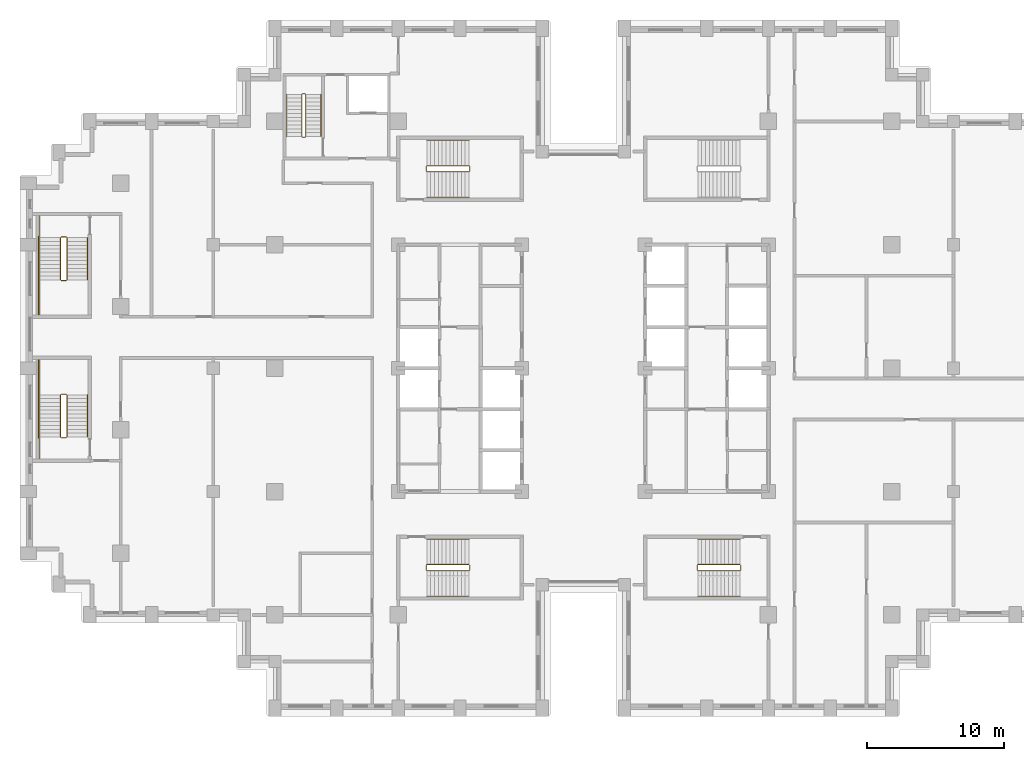
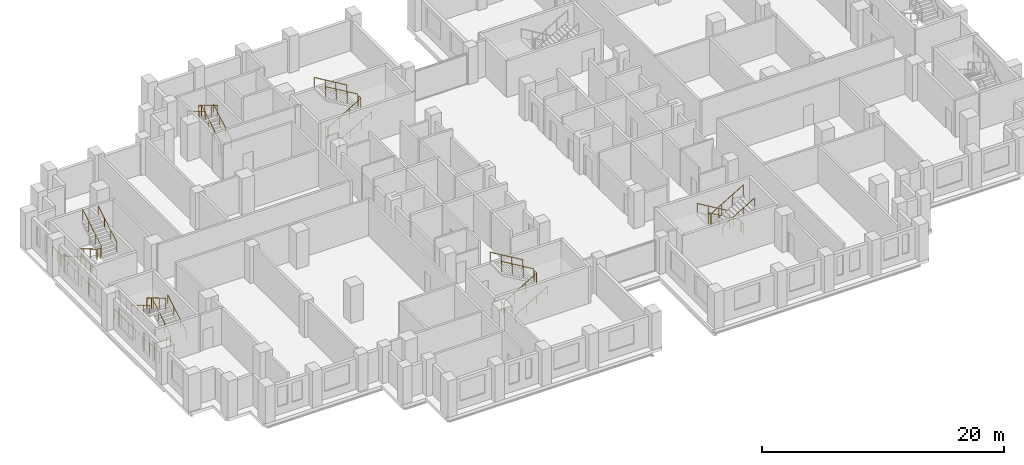
# One storey, part 15 of 16: 6 railings.
"""IFC4 building model written with IfcOpenShell, lengths in metres."""

import ifcopenshell
import ifcopenshell.guid

model = None  # the IFC model being written
_history = None  # IfcOwnerHistory: only IFC2X3 demands one
_inside = {}  # id of a spatial element -> (the spatial element, [elements in it])
_under = {}  # id of a project, library or spatial element -> (it, [spatial elements below it])
_declared = {}  # id of a project -> (the project, [libraries it declares])
_typed = {}  # id of a type object -> (the type object, [elements of that type])
_made_of = {}  # id of a material, layer set ... -> (it, [elements and type objects made of it])


def new_model(schema):
    """Start an empty IFC model of exactly this schema.

    Asked for "IFC4X3", IfcOpenShell would pick the latest addendum, in which some entities
    have other attributes; the version numbers below select the first issue.
    IFC2X3 requires an IfcOwnerHistory on every rooted entity: one is made here for all.
    """
    global model, _history
    if schema == "IFC4X3":
        model = ifcopenshell.file(schema_version=(4, 3, 0, 0))
    else:
        model = ifcopenshell.file(schema=schema)
    _inside.clear()
    _under.clear()
    _declared.clear()
    _typed.clear()
    _made_of.clear()
    _history = None
    if model.schema == "IFC2X3":
        org = make("IfcOrganization", Name="unknown")
        user = make(
            "IfcPersonAndOrganization",
            ThePerson=make("IfcPerson", FamilyName="unknown"),
            TheOrganization=org,
        )
        app = make(
            "IfcApplication",
            ApplicationDeveloper=org,
            Version="unknown",
            ApplicationFullName="unknown",
            ApplicationIdentifier="unknown",
        )
        _history = make(
            "IfcOwnerHistory",
            OwningUser=user,
            OwningApplication=app,
            ChangeAction="ADDED",
            CreationDate=0,
        )
    return model


def make(cls, **values):
    """One entity of the class cls with the attributes given. An attribute that is None is left unset."""
    return model.create_entity(
        cls, **{name: value for name, value in values.items() if value is not None}
    )


def rooted(cls, **values):
    """An entity with a GlobalId (a new one), such as an element, a storey or a relation."""
    return make(cls, GlobalId=ifcopenshell.guid.new(), OwnerHistory=_history, **values)


def si_unit(unit_type, name, prefix=None):
    """IfcSIUnit, for example si_unit("LENGTHUNIT", "METRE", prefix="MILLI")."""
    return make("IfcSIUnit", UnitType=unit_type, Prefix=prefix, Name=name)


def assignment(units):
    """IfcUnitAssignment: the units of a project."""
    return None if units is None else make("IfcUnitAssignment", Units=units)


def point(xyz):
    """IfcCartesianPoint."""
    return None if xyz is None else make("IfcCartesianPoint", Coordinates=xyz)


def direction(xyz):
    """IfcDirection."""
    return None if xyz is None else make("IfcDirection", DirectionRatios=xyz)


def frame(location, z_axis=None, x_axis=None):
    """IfcAxis2Placement3D, a coordinate frame: its origin and axes. An axis left out is left unset."""
    return make(
        "IfcAxis2Placement3D",
        Location=point(location),
        Axis=direction(z_axis),
        RefDirection=direction(x_axis),
    )


def frame_2d(location, x_axis=None):
    """IfcAxis2Placement2D, a coordinate frame in the plane: its origin and x axis."""
    return make(
        "IfcAxis2Placement2D", Location=point(location), RefDirection=direction(x_axis)
    )


def origin():
    """The frame at (0, 0, 0) with its axes left unset."""
    return frame((0.0, 0.0, 0.0))


def origin_2d():
    """The frame at (0, 0) in the plane with its x axis left unset."""
    return frame_2d((0.0, 0.0))


def place(relative_to, where):
    """IfcLocalPlacement: puts the frame where relative to a parent placement (None: the world)."""
    return make(
        "IfcLocalPlacement", PlacementRelTo=relative_to, RelativePlacement=where
    )


def context(
    kind, dimensions, precision=None, world=None, true_north=None, identifier=None
):
    """IfcGeometricRepresentationContext, for example the 3D "Model" context."""
    return make(
        "IfcGeometricRepresentationContext",
        ContextIdentifier=identifier,
        ContextType=kind,
        CoordinateSpaceDimension=dimensions,
        Precision=precision,
        WorldCoordinateSystem=world,
        TrueNorth=true_north,
    )


def subcontext(parent, identifier, kind, view, scale=None):
    """IfcGeometricRepresentationSubContext, for example "Body" below "Model"."""
    return make(
        "IfcGeometricRepresentationSubContext",
        ContextIdentifier=identifier,
        ContextType=kind,
        ParentContext=parent,
        TargetScale=scale,
        TargetView=view,
    )


def project(units=None, contexts=None):
    """IfcProject with its units and contexts."""
    return rooted(
        "IfcProject",
        Name="project",
        RepresentationContexts=contexts,
        UnitsInContext=assignment(units),
    )


def spatial(cls, under=None, at=None, **own):
    """A site, building, storey or space (cls), placed at a placement, below another one or the project."""
    s = rooted(cls, ObjectPlacement=at, **own)
    if under is not None:
        _under.setdefault(under.id(), (under, []))[1].append(s)
    return s


def profile(cls, at=None, kind="AREA", **sizes):
    """A parametric profile (cls). Its sizes go by their IFC names, for example OverallWidth=200.0."""
    return make(cls, ProfileType=kind, Position=at, **sizes)


def circle(**sizes):
    """IfcCircleProfileDef."""
    return profile("IfcCircleProfileDef", **sizes)


def extrude(swept, where, along, depth):
    """IfcExtrudedAreaSolid: the profile swept, set in the frame where, extruded along a direction by depth."""
    return make(
        "IfcExtrudedAreaSolid",
        SweptArea=swept,
        Position=where,
        ExtrudedDirection=direction(along),
        Depth=depth,
    )


def shape(context_of_items, identifier, shape_type, items):
    """IfcShapeRepresentation: the items that make up one representation, for example the "Body"."""
    return make(
        "IfcShapeRepresentation",
        ContextOfItems=context_of_items,
        RepresentationIdentifier=identifier,
        RepresentationType=shape_type,
        Items=items,
    )


def material(Name=None, Category=None):
    """IfcMaterial."""
    return make("IfcMaterial", Name=Name, Category=Category)


def made_of(thing, what):
    """Note that an element or type object is made of a material, layer set ...; save() writes the relation."""
    if what is not None:
        _made_of.setdefault(what.id(), (what, []))[1].append(thing)
    return thing


def type_object(cls, material=None, **own):
    """A type object (cls), such as IfcWallType, which elements share."""
    return made_of(rooted(cls, **own), material)


def element(
    cls,
    number,
    at=None,
    inside=None,
    cuts=None,
    type_object=None,
    material=None,
    context=None,
    identifier="Body",
    shape_type=None,
    held_by="IfcProductDefinitionShape",
    body=None,
    shapes=None,
    **own,
):
    """One element of the class cls, such as IfcWall. Its Tag is "e" and its number.

    at: its placement. inside: the storey or other place that contains it. cuts: it is an
    opening in that element (IfcRelVoidsElement). A single representation is given by context,
    identifier, shape_type and body (its items); several are given by shapes. held_by: the class
    of the entity that holds the representations. save() writes the other relations.
    """
    e = rooted(cls, Tag="e%d" % number, ObjectPlacement=at, **own)
    if body is not None:
        shapes = [shape(context, identifier, shape_type, body)]
    if shapes is not None:
        e.Representation = make(held_by, Representations=shapes)
    if inside is not None:
        _inside.setdefault(inside.id(), (inside, []))[1].append(e)
    if cuts is not None:
        rooted(
            "IfcRelVoidsElement", RelatingBuildingElement=cuts, RelatedOpeningElement=e
        )
    if type_object is not None:
        _typed.setdefault(type_object.id(), (type_object, []))[1].append(e)
    return made_of(e, material)


def aggregate(whole, parts):
    """IfcRelAggregates: a whole, such as a stair, and the parts it consists of."""
    return rooted("IfcRelAggregates", RelatingObject=whole, RelatedObjects=parts)


def save(model, path):
    """Write the relations noted so far, then the file.

    IfcRelAggregates (storeys below a building ...), IfcRelContainedInSpatialStructure (elements
    in a storey), IfcRelDefinesByType, IfcRelAssociatesMaterial and IfcRelDeclares: one each for
    every whole, place, type object, material and project.
    """
    for whole, parts in _under.values():
        aggregate(whole, parts)
    for where, things in _inside.values():
        rooted(
            "IfcRelContainedInSpatialStructure",
            RelatedElements=things,
            RelatingStructure=where,
        )
    for kind, things in _typed.values():
        rooted("IfcRelDefinesByType", RelatedObjects=things, RelatingType=kind)
    for what, things in _made_of.values():
        rooted("IfcRelAssociatesMaterial", RelatedObjects=things, RelatingMaterial=what)
    for by, libraries in _declared.values():
        rooted("IfcRelDeclares", RelatingContext=by, RelatedDefinitions=libraries)
    model.write(path)


model = new_model("IFC4")

# Units and contexts
model_context = context("Model", 3, precision=1e-05, world=origin(), true_north=direction((0.0, 1.0)))
body_context = subcontext(model_context, "Body", "Model", "MODEL_VIEW")
ifc_project = project(units=[si_unit("LENGTHUNIT", "METRE"), si_unit("AREAUNIT", "SQUARE_METRE"), si_unit("VOLUMEUNIT", "CUBIC_METRE"), si_unit("PLANEANGLEUNIT", "RADIAN"), si_unit("MASSUNIT", "GRAM", prefix="KILO")], contexts=[model_context])

# Site, building, storey
site_placement = place(None, origin())
site = spatial("IfcSite", under=ifc_project, at=site_placement, CompositionType="ELEMENT")
building_placement = place(site_placement, origin())
building = spatial("IfcBuilding", under=site, at=building_placement, Name="Corbelhall Arena Tower", CompositionType="ELEMENT")
storey_placement = place(building_placement, frame((0.0, 0.0, 72.0)))
storey = spatial("IfcBuildingStorey", under=building, at=storey_placement, Name="L10", CompositionType="ELEMENT", Elevation=72.0)

# Railings
ifc_material = material(Name="Steel ASTM A500 Gr C", Category="steel")
railing_type = type_object("IfcRailingType", Name="IN-GD-1100", PredefinedType="GUARDRAIL", material=ifc_material)
railing_1_placement = place(storey_placement, frame((-11.425048828125, 14.324951171875, 0.166748046875)))
element("IfcRailing", 1, at=railing_1_placement, inside=storey, type_object=railing_type, Name="L10 ST1 stair guards and handrails", PredefinedType="GUARDRAIL", context=body_context, shape_type="SweptSolid", body=[
    extrude(circle(Radius=0.02392578125, at=origin_2d()), frame((0.0, 0.0, 1.076171875), z_axis=(0.859308565015, 0.0, 0.511457515432), x_axis=(0.0, 1.0, 0.0)), (0.0, 0.0, 1.0), 3.58447265625),
    extrude(circle(Radius=0.02392578125, at=origin_2d()), frame((3.130126953125, 0.050048828125, 2.9091796875), z_axis=(0.0, 1.0, 0.0), x_axis=(-1.0, 0.0, 0.0)), (0.0, 0.0, 1.0), 0.35009765625),
    extrude(circle(Radius=0.02392578125, at=origin_2d()), frame((3.080078125, 0.449951171875, 3.076171875), z_axis=(-0.859308565015, 0.0, 0.511457515432), x_axis=(0.0, -1.0, 0.0)), (0.0, 0.0, 1.0), 3.58447265625),
    extrude(circle(Radius=0.02392578125, at=origin_2d()), frame((-0.050048828125, 0.050048828125, 0.9091796875), z_axis=(0.0, 1.0, 0.0), x_axis=(-1.0, 0.0, 0.0)), (0.0, 0.0, 1.0), 0.35009765625),
    extrude(circle(Radius=0.02392578125, at=origin_2d()), frame((0.0, -1.849853515625, 0.8759765625), z_axis=(0.859308565015, 0.0, 0.511457515432), x_axis=(0.0, 1.0, 0.0)), (0.0, 0.0, 1.0), 3.58447265625),
    extrude(circle(Radius=0.02392578125, at=origin_2d()), frame((3.080078125, 2.300048828125, 2.8759765625), z_axis=(-0.859308565015, 0.0, 0.511457515432), x_axis=(0.0, -1.0, 0.0)), (0.0, 0.0, 1.0), 3.58447265625),
    extrude(circle(Radius=0.02099609375, at=origin_2d()), origin(), (0.0, 0.0, 1.0), 1.052001953125),
    extrude(circle(Radius=0.02099609375, at=origin_2d()), frame((1.026611328125, 0.0, 0.611083984375)), (0.0, 0.0, 1.0), 1.052001953125),
    extrude(circle(Radius=0.02099609375, at=origin_2d()), frame((2.053466796875, 0.0, 1.22216796875)), (0.0, 0.0, 1.0), 1.052001953125),
    extrude(circle(Radius=0.02099609375, at=origin_2d()), frame((3.080078125, 0.0, 1.833251953125)), (0.0, 0.0, 1.0), 1.052001953125),
    extrude(circle(Radius=0.02099609375, at=origin_2d()), frame((3.130126953125, 0.050048828125, 1.833251953125)), (0.0, 0.0, 1.0), 1.052001953125),
    extrude(circle(Radius=0.02099609375, at=origin_2d()), frame((3.130126953125, 0.400146484375, 1.833251953125)), (0.0, 0.0, 1.0), 1.052001953125),
    extrude(circle(Radius=0.02099609375, at=origin_2d()), frame((3.080078125, 0.449951171875, 2.0)), (0.0, 0.0, 1.0), 1.052001953125),
    extrude(circle(Radius=0.02099609375, at=origin_2d()), frame((2.053466796875, 0.449951171875, 2.611083984375)), (0.0, 0.0, 1.0), 1.052001953125),
    extrude(circle(Radius=0.02099609375, at=origin_2d()), frame((1.026611328125, 0.449951171875, 3.22216796875)), (0.0, 0.0, 1.0), 1.052001953125),
    extrude(circle(Radius=0.02099609375, at=origin_2d()), frame((0.0, 0.449951171875, 3.833251953125)), (0.0, 0.0, 1.0), 1.052001953125),
    extrude(circle(Radius=0.02099609375, at=origin_2d()), frame((-0.050048828125, 0.050048828125, -0.166748046875)), (0.0, 0.0, 1.0), 1.052001953125),
    extrude(circle(Radius=0.02099609375, at=origin_2d()), frame((-0.050048828125, 0.400146484375, -0.166748046875)), (0.0, 0.0, 1.0), 1.052001953125),
    extrude(circle(Radius=0.02099609375, at=origin_2d()), frame((0.0, -1.849853515625, 0.0)), (0.0, 0.0, 1.0), 0.851806640625),
    extrude(circle(Radius=0.02099609375, at=origin_2d()), frame((1.026611328125, -1.849853515625, 0.611083984375)), (0.0, 0.0, 1.0), 0.851806640625),
    extrude(circle(Radius=0.02099609375, at=origin_2d()), frame((2.053466796875, -1.849853515625, 1.22216796875)), (0.0, 0.0, 1.0), 0.851806640625),
    extrude(circle(Radius=0.02099609375, at=origin_2d()), frame((3.080078125, -1.849853515625, 1.833251953125)), (0.0, 0.0, 1.0), 0.851806640625),
    extrude(circle(Radius=0.02099609375, at=origin_2d()), frame((3.080078125, 2.300048828125, 2.0)), (0.0, 0.0, 1.0), 0.851806640625),
    extrude(circle(Radius=0.02099609375, at=origin_2d()), frame((2.053466796875, 2.300048828125, 2.611083984375)), (0.0, 0.0, 1.0), 0.851806640625),
    extrude(circle(Radius=0.02099609375, at=origin_2d()), frame((1.026611328125, 2.300048828125, 3.22216796875)), (0.0, 0.0, 1.0), 0.851806640625),
    extrude(circle(Radius=0.02099609375, at=origin_2d()), frame((0.0, 2.300048828125, 3.833251953125)), (0.0, 0.0, 1.0), 0.851806640625),
])
railing_2_placement = place(storey_placement, frame((-11.425048828125, -14.77490234375, 0.166748046875)))
element("IfcRailing", 2, at=railing_2_placement, inside=storey, type_object=railing_type, Name="L10 ST2 stair guards and handrails", PredefinedType="GUARDRAIL", context=body_context, shape_type="SweptSolid", body=[
    extrude(circle(Radius=0.02392578125, at=origin_2d()), frame((0.0, 0.0, 1.076171875), z_axis=(0.859308565015, 0.0, 0.511457515432), x_axis=(0.0, 1.0, 0.0)), (0.0, 0.0, 1.0), 3.58447265625),
    extrude(circle(Radius=0.02392578125, at=origin_2d()), frame((3.130126953125, 0.0498046875, 2.9091796875), z_axis=(0.0, 1.0, 0.0), x_axis=(-1.0, 0.0, 0.0)), (0.0, 0.0, 1.0), 0.35009765625),
    extrude(circle(Radius=0.02392578125, at=origin_2d()), frame((3.080078125, 0.449951171875, 3.076171875), z_axis=(-0.859308565015, 0.0, 0.511457515432), x_axis=(0.0, -1.0, 0.0)), (0.0, 0.0, 1.0), 3.58447265625),
    extrude(circle(Radius=0.02392578125, at=origin_2d()), frame((-0.050048828125, 0.0498046875, 0.9091796875), z_axis=(0.0, 1.0, 0.0), x_axis=(-1.0, 0.0, 0.0)), (0.0, 0.0, 1.0), 0.35009765625),
    extrude(circle(Radius=0.02392578125, at=origin_2d()), frame((0.0, -1.85009765625, 0.8759765625), z_axis=(0.859308565015, 0.0, 0.511457515432), x_axis=(0.0, 1.0, 0.0)), (0.0, 0.0, 1.0), 3.58447265625),
    extrude(circle(Radius=0.02392578125, at=origin_2d()), frame((3.080078125, 2.2998046875, 2.8759765625), z_axis=(-0.859308565015, 0.0, 0.511457515432), x_axis=(0.0, -1.0, 0.0)), (0.0, 0.0, 1.0), 3.58447265625),
    extrude(circle(Radius=0.02099609375, at=origin_2d()), origin(), (0.0, 0.0, 1.0), 1.052001953125),
    extrude(circle(Radius=0.02099609375, at=origin_2d()), frame((1.026611328125, 0.0, 0.611083984375)), (0.0, 0.0, 1.0), 1.052001953125),
    extrude(circle(Radius=0.02099609375, at=origin_2d()), frame((2.053466796875, 0.0, 1.22216796875)), (0.0, 0.0, 1.0), 1.052001953125),
    extrude(circle(Radius=0.02099609375, at=origin_2d()), frame((3.080078125, 0.0, 1.833251953125)), (0.0, 0.0, 1.0), 1.052001953125),
    extrude(circle(Radius=0.02099609375, at=origin_2d()), frame((3.130126953125, 0.0498046875, 1.833251953125)), (0.0, 0.0, 1.0), 1.052001953125),
    extrude(circle(Radius=0.02099609375, at=origin_2d()), frame((3.130126953125, 0.39990234375, 1.833251953125)), (0.0, 0.0, 1.0), 1.052001953125),
    extrude(circle(Radius=0.02099609375, at=origin_2d()), frame((3.080078125, 0.449951171875, 2.0)), (0.0, 0.0, 1.0), 1.052001953125),
    extrude(circle(Radius=0.02099609375, at=origin_2d()), frame((2.053466796875, 0.449951171875, 2.611083984375)), (0.0, 0.0, 1.0), 1.052001953125),
    extrude(circle(Radius=0.02099609375, at=origin_2d()), frame((1.026611328125, 0.449951171875, 3.22216796875)), (0.0, 0.0, 1.0), 1.052001953125),
    extrude(circle(Radius=0.02099609375, at=origin_2d()), frame((0.0, 0.449951171875, 3.833251953125)), (0.0, 0.0, 1.0), 1.052001953125),
    extrude(circle(Radius=0.02099609375, at=origin_2d()), frame((-0.050048828125, 0.0498046875, -0.166748046875)), (0.0, 0.0, 1.0), 1.052001953125),
    extrude(circle(Radius=0.02099609375, at=origin_2d()), frame((-0.050048828125, 0.39990234375, -0.166748046875)), (0.0, 0.0, 1.0), 1.052001953125),
    extrude(circle(Radius=0.02099609375, at=origin_2d()), frame((0.0, -1.85009765625, 0.0)), (0.0, 0.0, 1.0), 0.851806640625),
    extrude(circle(Radius=0.02099609375, at=origin_2d()), frame((1.026611328125, -1.85009765625, 0.611083984375)), (0.0, 0.0, 1.0), 0.851806640625),
    extrude(circle(Radius=0.02099609375, at=origin_2d()), frame((2.053466796875, -1.85009765625, 1.22216796875)), (0.0, 0.0, 1.0), 0.851806640625),
    extrude(circle(Radius=0.02099609375, at=origin_2d()), frame((3.080078125, -1.85009765625, 1.833251953125)), (0.0, 0.0, 1.0), 0.851806640625),
    extrude(circle(Radius=0.02099609375, at=origin_2d()), frame((3.080078125, 2.2998046875, 2.0)), (0.0, 0.0, 1.0), 0.851806640625),
    extrude(circle(Radius=0.02099609375, at=origin_2d()), frame((2.053466796875, 2.2998046875, 2.611083984375)), (0.0, 0.0, 1.0), 0.851806640625),
    extrude(circle(Radius=0.02099609375, at=origin_2d()), frame((1.026611328125, 2.2998046875, 3.22216796875)), (0.0, 0.0, 1.0), 0.851806640625),
    extrude(circle(Radius=0.02099609375, at=origin_2d()), frame((0.0, 2.2998046875, 3.833251953125)), (0.0, 0.0, 1.0), 0.851806640625),
])
railing_3_placement = place(storey_placement, frame((11.425048828125, -14.324951171875, 0.166748046875)))
element("IfcRailing", 3, at=railing_3_placement, inside=storey, type_object=railing_type, Name="L10 ST4 stair guards and handrails", PredefinedType="GUARDRAIL", context=body_context, shape_type="SweptSolid", body=[
    extrude(circle(Radius=0.02392578125, at=origin_2d()), frame((0.0, 0.0, 1.076171875), z_axis=(-0.859308565015, 0.0, 0.511457515432), x_axis=(0.0, -1.0, 0.0)), (0.0, 0.0, 1.0), 3.58447265625),
    extrude(circle(Radius=0.02392578125, at=origin_2d()), frame((-3.130126953125, -0.050048828125, 2.9091796875), z_axis=(0.0, -1.0, 0.0), x_axis=(1.0, 0.0, 0.0)), (0.0, 0.0, 1.0), 0.35009765625),
    extrude(circle(Radius=0.02392578125, at=origin_2d()), frame((-3.080078125, -0.449951171875, 3.076171875), z_axis=(0.859308565015, 0.0, 0.511457515432), x_axis=(0.0, 1.0, 0.0)), (0.0, 0.0, 1.0), 3.58447265625),
    extrude(circle(Radius=0.02392578125, at=origin_2d()), frame((0.050048828125, -0.050048828125, 0.9091796875), z_axis=(0.0, -1.0, 0.0), x_axis=(1.0, 0.0, 0.0)), (0.0, 0.0, 1.0), 0.35009765625),
    extrude(circle(Radius=0.02392578125, at=origin_2d()), frame((0.0, 1.849853515625, 0.8759765625), z_axis=(-0.859308565015, 0.0, 0.511457515432), x_axis=(0.0, -1.0, 0.0)), (0.0, 0.0, 1.0), 3.58447265625),
    extrude(circle(Radius=0.02392578125, at=origin_2d()), frame((-3.080078125, -2.300048828125, 2.8759765625), z_axis=(0.859308565015, 0.0, 0.511457515432), x_axis=(0.0, 1.0, 0.0)), (0.0, 0.0, 1.0), 3.58447265625),
    extrude(circle(Radius=0.02099609375, at=origin_2d()), origin(), (0.0, 0.0, 1.0), 1.052001953125),
    extrude(circle(Radius=0.02099609375, at=origin_2d()), frame((-1.026611328125, 0.0, 0.611083984375)), (0.0, 0.0, 1.0), 1.052001953125),
    extrude(circle(Radius=0.02099609375, at=origin_2d()), frame((-2.053466796875, 0.0, 1.22216796875)), (0.0, 0.0, 1.0), 1.052001953125),
    extrude(circle(Radius=0.02099609375, at=origin_2d()), frame((-3.080078125, 0.0, 1.833251953125)), (0.0, 0.0, 1.0), 1.052001953125),
    extrude(circle(Radius=0.02099609375, at=origin_2d()), frame((-3.130126953125, -0.050048828125, 1.833251953125)), (0.0, 0.0, 1.0), 1.052001953125),
    extrude(circle(Radius=0.02099609375, at=origin_2d()), frame((-3.130126953125, -0.400146484375, 1.833251953125)), (0.0, 0.0, 1.0), 1.052001953125),
    extrude(circle(Radius=0.02099609375, at=origin_2d()), frame((-3.080078125, -0.449951171875, 2.0)), (0.0, 0.0, 1.0), 1.052001953125),
    extrude(circle(Radius=0.02099609375, at=origin_2d()), frame((-2.053466796875, -0.449951171875, 2.611083984375)), (0.0, 0.0, 1.0), 1.052001953125),
    extrude(circle(Radius=0.02099609375, at=origin_2d()), frame((-1.026611328125, -0.449951171875, 3.22216796875)), (0.0, 0.0, 1.0), 1.052001953125),
    extrude(circle(Radius=0.02099609375, at=origin_2d()), frame((0.0, -0.449951171875, 3.833251953125)), (0.0, 0.0, 1.0), 1.052001953125),
    extrude(circle(Radius=0.02099609375, at=origin_2d()), frame((0.050048828125, -0.050048828125, -0.166748046875)), (0.0, 0.0, 1.0), 1.052001953125),
    extrude(circle(Radius=0.02099609375, at=origin_2d()), frame((0.050048828125, -0.400146484375, -0.166748046875)), (0.0, 0.0, 1.0), 1.052001953125),
    extrude(circle(Radius=0.02099609375, at=origin_2d()), frame((0.0, 1.849853515625, 0.0)), (0.0, 0.0, 1.0), 0.851806640625),
    extrude(circle(Radius=0.02099609375, at=origin_2d()), frame((-1.026611328125, 1.849853515625, 0.611083984375)), (0.0, 0.0, 1.0), 0.851806640625),
    extrude(circle(Radius=0.02099609375, at=origin_2d()), frame((-2.053466796875, 1.849853515625, 1.22216796875)), (0.0, 0.0, 1.0), 0.851806640625),
    extrude(circle(Radius=0.02099609375, at=origin_2d()), frame((-3.080078125, 1.849853515625, 1.833251953125)), (0.0, 0.0, 1.0), 0.851806640625),
    extrude(circle(Radius=0.02099609375, at=origin_2d()), frame((-3.080078125, -2.300048828125, 2.0)), (0.0, 0.0, 1.0), 0.851806640625),
    extrude(circle(Radius=0.02099609375, at=origin_2d()), frame((-2.053466796875, -2.300048828125, 2.611083984375)), (0.0, 0.0, 1.0), 0.851806640625),
    extrude(circle(Radius=0.02099609375, at=origin_2d()), frame((-1.026611328125, -2.300048828125, 3.22216796875)), (0.0, 0.0, 1.0), 0.851806640625),
    extrude(circle(Radius=0.02099609375, at=origin_2d()), frame((0.0, -2.300048828125, 3.833251953125)), (0.0, 0.0, 1.0), 0.851806640625),
])
railing_4_placement = place(storey_placement, frame((-38.14990234375, 9.52490234375, 0.166748046875)))
element("IfcRailing", 4, at=railing_4_placement, inside=storey, type_object=railing_type, Name="L10 SC1 stair guards and handrails", PredefinedType="GUARDRAIL", context=body_context, shape_type="SweptSolid", body=[
    extrude(circle(Radius=0.02392578125, at=origin_2d()), frame((0.0, 0.0, 1.076171875), z_axis=(0.0, -0.859290745958, 0.51148745235), x_axis=(1.0, 0.0, 0.0)), (0.0, 0.0, 1.0), 3.584228515625),
    extrude(circle(Radius=0.02392578125, at=origin_2d()), frame((0.0498046875, -3.1298828125, 2.9091796875), z_axis=(1.0, 0.0, 0.0), x_axis=(0.0, 1.0, 0.0)), (0.0, 0.0, 1.0), 0.375),
    extrude(circle(Radius=0.02392578125, at=origin_2d()), frame((-1.5, -3.079833984375, 2.9091796875), z_axis=(0.0, -1.0, 0.0), x_axis=(1.0, 0.0, 0.0)), (0.0, 0.0, 1.0), 2.570068359375),
    extrude(circle(Radius=0.02392578125, at=origin_2d()), frame((0.474853515625, -3.079833984375, 3.076171875), z_axis=(0.0, 0.859290745958, 0.51148745235), x_axis=(-1.0, 0.0, 0.0)), (0.0, 0.0, 1.0), 3.584228515625),
    extrude(circle(Radius=0.02392578125, at=origin_2d()), frame((0.0498046875, 0.050048828125, 0.9091796875), z_axis=(1.0, 0.0, 0.0), x_axis=(0.0, 1.0, 0.0)), (0.0, 0.0, 1.0), 0.375),
    extrude(circle(Radius=0.02392578125, at=origin_2d()), frame((-1.5, 1.60009765625, 0.9091796875), z_axis=(0.0, -1.0, 0.0), x_axis=(1.0, 0.0, 0.0)), (0.0, 0.0, 1.0), 1.60009765625),
    extrude(circle(Radius=0.02392578125, at=origin_2d()), frame((-1.60009765625, 0.10009765625, 0.9091796875), z_axis=(0.0, -1.0, 0.0), x_axis=(1.0, 0.0, 0.0)), (0.0, 0.0, 1.0), 5.85009765625),
    extrude(circle(Radius=0.02392578125, at=origin_2d()), frame((-1.5, 0.0, 0.8759765625), z_axis=(0.0, -0.859290745958, 0.51148745235), x_axis=(1.0, 0.0, 0.0)), (0.0, 0.0, 1.0), 3.584228515625),
    extrude(circle(Radius=0.02392578125, at=origin_2d()), frame((1.974853515625, -3.079833984375, 2.8759765625), z_axis=(0.0, 0.859290745958, 0.51148745235), x_axis=(-1.0, 0.0, 0.0)), (0.0, 0.0, 1.0), 3.584228515625),
    extrude(circle(Radius=0.02099609375, at=origin_2d()), origin(), (0.0, 0.0, 1.0), 1.052001953125),
    extrude(circle(Radius=0.02099609375, at=origin_2d()), frame((0.0, -1.026611328125, 0.611083984375)), (0.0, 0.0, 1.0), 1.052001953125),
    extrude(circle(Radius=0.02099609375, at=origin_2d()), frame((0.0, -2.05322265625, 1.22216796875)), (0.0, 0.0, 1.0), 1.052001953125),
    extrude(circle(Radius=0.02099609375, at=origin_2d()), frame((0.0, -3.079833984375, 1.833251953125)), (0.0, 0.0, 1.0), 1.052001953125),
    extrude(circle(Radius=0.02099609375, at=origin_2d()), frame((0.0498046875, -3.1298828125, 1.833251953125)), (0.0, 0.0, 1.0), 1.052001953125),
    extrude(circle(Radius=0.02099609375, at=origin_2d()), frame((0.4248046875, -3.1298828125, 1.833251953125)), (0.0, 0.0, 1.0), 1.052001953125),
    extrude(circle(Radius=0.02099609375, at=origin_2d()), frame((-1.5, -3.079833984375, 1.833251953125)), (0.0, 0.0, 1.0), 1.052001953125),
    extrude(circle(Radius=0.02099609375, at=origin_2d()), frame((-1.5, -3.9365234375, 1.833251953125)), (0.0, 0.0, 1.0), 1.052001953125),
    extrude(circle(Radius=0.02099609375, at=origin_2d()), frame((-1.5, -4.793212890625, 1.833251953125)), (0.0, 0.0, 1.0), 1.052001953125),
    extrude(circle(Radius=0.02099609375, at=origin_2d()), frame((-1.5, -5.64990234375, 1.833251953125)), (0.0, 0.0, 1.0), 1.052001953125),
    extrude(circle(Radius=0.02099609375, at=origin_2d()), frame((0.474853515625, -3.079833984375, 2.0)), (0.0, 0.0, 1.0), 1.052001953125),
    extrude(circle(Radius=0.02099609375, at=origin_2d()), frame((0.474853515625, -2.05322265625, 2.611083984375)), (0.0, 0.0, 1.0), 1.052001953125),
    extrude(circle(Radius=0.02099609375, at=origin_2d()), frame((0.474853515625, -1.026611328125, 3.22216796875)), (0.0, 0.0, 1.0), 1.052001953125),
    extrude(circle(Radius=0.02099609375, at=origin_2d()), frame((0.474853515625, 0.0, 3.833251953125)), (0.0, 0.0, 1.0), 1.052001953125),
    extrude(circle(Radius=0.02099609375, at=origin_2d()), frame((0.0498046875, 0.050048828125, -0.166748046875)), (0.0, 0.0, 1.0), 1.052001953125),
    extrude(circle(Radius=0.02099609375, at=origin_2d()), frame((0.4248046875, 0.050048828125, -0.166748046875)), (0.0, 0.0, 1.0), 1.052001953125),
    extrude(circle(Radius=0.02099609375, at=origin_2d()), frame((-1.5, 1.60009765625, -0.166748046875)), (0.0, 0.0, 1.0), 1.052001953125),
    extrude(circle(Radius=0.02099609375, at=origin_2d()), frame((-1.5, 0.800048828125, -0.166748046875)), (0.0, 0.0, 1.0), 1.052001953125),
    extrude(circle(Radius=0.02099609375, at=origin_2d()), frame((-1.5, 0.0, -0.166748046875)), (0.0, 0.0, 1.0), 1.052001953125),
    extrude(circle(Radius=0.02099609375, at=origin_2d()), frame((-1.60009765625, 0.10009765625, -0.166748046875)), (0.0, 0.0, 1.0), 1.052001953125),
    extrude(circle(Radius=0.02099609375, at=origin_2d()), frame((-1.60009765625, -1.06982421875, -0.166748046875)), (0.0, 0.0, 1.0), 1.052001953125),
    extrude(circle(Radius=0.02099609375, at=origin_2d()), frame((-1.60009765625, -2.239990234375, -0.166748046875)), (0.0, 0.0, 1.0), 1.052001953125),
    extrude(circle(Radius=0.02099609375, at=origin_2d()), frame((-1.60009765625, -3.409912109375, -0.166748046875)), (0.0, 0.0, 1.0), 1.052001953125),
    extrude(circle(Radius=0.02099609375, at=origin_2d()), frame((-1.60009765625, -4.580078125, -0.166748046875)), (0.0, 0.0, 1.0), 1.052001953125),
    extrude(circle(Radius=0.02099609375, at=origin_2d()), frame((-1.60009765625, -5.75, -0.166748046875)), (0.0, 0.0, 1.0), 1.052001953125),
    extrude(circle(Radius=0.02099609375, at=origin_2d()), frame((-1.5, 0.0, 0.0)), (0.0, 0.0, 1.0), 0.851806640625),
    extrude(circle(Radius=0.02099609375, at=origin_2d()), frame((-1.5, -1.026611328125, 0.611083984375)), (0.0, 0.0, 1.0), 0.851806640625),
    extrude(circle(Radius=0.02099609375, at=origin_2d()), frame((-1.5, -2.05322265625, 1.22216796875)), (0.0, 0.0, 1.0), 0.851806640625),
    extrude(circle(Radius=0.02099609375, at=origin_2d()), frame((1.974853515625, -3.079833984375, 2.0)), (0.0, 0.0, 1.0), 0.851806640625),
    extrude(circle(Radius=0.02099609375, at=origin_2d()), frame((1.974853515625, -2.05322265625, 2.611083984375)), (0.0, 0.0, 1.0), 0.851806640625),
    extrude(circle(Radius=0.02099609375, at=origin_2d()), frame((1.974853515625, -1.026611328125, 3.22216796875)), (0.0, 0.0, 1.0), 0.851806640625),
    extrude(circle(Radius=0.02099609375, at=origin_2d()), frame((1.974853515625, 0.0, 3.833251953125)), (0.0, 0.0, 1.0), 0.851806640625),
])
railing_5_placement = place(storey_placement, frame((-37.675048828125, -5.02490234375, 0.166748046875)))
element("IfcRailing", 5, at=railing_5_placement, inside=storey, type_object=railing_type, Name="L10 SC2 stair guards and handrails", PredefinedType="GUARDRAIL", context=body_context, shape_type="SweptSolid", body=[
    extrude(circle(Radius=0.02392578125, at=origin_2d()), frame((0.0, 0.0, 1.076171875), z_axis=(0.0, 0.859290745958, 0.51148745235), x_axis=(-1.0, 0.0, 0.0)), (0.0, 0.0, 1.0), 3.584228515625),
    extrude(circle(Radius=0.02392578125, at=origin_2d()), frame((-0.050048828125, 3.1298828125, 2.9091796875), z_axis=(-1.0, 0.0, 0.0), x_axis=(0.0, -1.0, 0.0)), (0.0, 0.0, 1.0), 0.375),
    extrude(circle(Radius=0.02392578125, at=origin_2d()), frame((-1.974853515625, 3.079833984375, 2.9091796875), z_axis=(0.0, 1.0, 0.0), x_axis=(-1.0, 0.0, 0.0)), (0.0, 0.0, 1.0), 2.570068359375),
    extrude(circle(Radius=0.02392578125, at=origin_2d()), frame((-0.474853515625, 3.079833984375, 3.076171875), z_axis=(0.0, -0.859290745958, 0.51148745235), x_axis=(1.0, 0.0, 0.0)), (0.0, 0.0, 1.0), 3.584228515625),
    extrude(circle(Radius=0.02392578125, at=origin_2d()), frame((-0.050048828125, -0.050048828125, 0.9091796875), z_axis=(-1.0, 0.0, 0.0), x_axis=(0.0, -1.0, 0.0)), (0.0, 0.0, 1.0), 0.375),
    extrude(circle(Radius=0.02392578125, at=origin_2d()), frame((-1.974853515625, -1.60009765625, 0.9091796875), z_axis=(0.0, 1.0, 0.0), x_axis=(-1.0, 0.0, 0.0)), (0.0, 0.0, 1.0), 1.60009765625),
    extrude(circle(Radius=0.02392578125, at=origin_2d()), frame((-2.074951171875, -0.10009765625, 0.9091796875), z_axis=(0.0, 1.0, 0.0), x_axis=(-1.0, 0.0, 0.0)), (0.0, 0.0, 1.0), 5.85009765625),
    extrude(circle(Radius=0.02392578125, at=origin_2d()), frame((1.5, 0.0, 0.8759765625), z_axis=(0.0, 0.859290745958, 0.51148745235), x_axis=(-1.0, 0.0, 0.0)), (0.0, 0.0, 1.0), 3.584228515625),
    extrude(circle(Radius=0.02392578125, at=origin_2d()), frame((-1.974853515625, 3.079833984375, 2.8759765625), z_axis=(0.0, -0.859290745958, 0.51148745235), x_axis=(1.0, 0.0, 0.0)), (0.0, 0.0, 1.0), 3.584228515625),
    extrude(circle(Radius=0.02099609375, at=origin_2d()), origin(), (0.0, 0.0, 1.0), 1.052001953125),
    extrude(circle(Radius=0.02099609375, at=origin_2d()), frame((0.0, 1.026611328125, 0.611083984375)), (0.0, 0.0, 1.0), 1.052001953125),
    extrude(circle(Radius=0.02099609375, at=origin_2d()), frame((0.0, 2.05322265625, 1.22216796875)), (0.0, 0.0, 1.0), 1.052001953125),
    extrude(circle(Radius=0.02099609375, at=origin_2d()), frame((0.0, 3.079833984375, 1.833251953125)), (0.0, 0.0, 1.0), 1.052001953125),
    extrude(circle(Radius=0.02099609375, at=origin_2d()), frame((-0.050048828125, 3.1298828125, 1.833251953125)), (0.0, 0.0, 1.0), 1.052001953125),
    extrude(circle(Radius=0.02099609375, at=origin_2d()), frame((-0.425048828125, 3.1298828125, 1.833251953125)), (0.0, 0.0, 1.0), 1.052001953125),
    extrude(circle(Radius=0.02099609375, at=origin_2d()), frame((-1.974853515625, 3.079833984375, 1.833251953125)), (0.0, 0.0, 1.0), 1.052001953125),
    extrude(circle(Radius=0.02099609375, at=origin_2d()), frame((-1.974853515625, 3.9365234375, 1.833251953125)), (0.0, 0.0, 1.0), 1.052001953125),
    extrude(circle(Radius=0.02099609375, at=origin_2d()), frame((-1.974853515625, 4.793212890625, 1.833251953125)), (0.0, 0.0, 1.0), 1.052001953125),
    extrude(circle(Radius=0.02099609375, at=origin_2d()), frame((-1.974853515625, 5.64990234375, 1.833251953125)), (0.0, 0.0, 1.0), 1.052001953125),
    extrude(circle(Radius=0.02099609375, at=origin_2d()), frame((-0.474853515625, 3.079833984375, 2.0)), (0.0, 0.0, 1.0), 1.052001953125),
    extrude(circle(Radius=0.02099609375, at=origin_2d()), frame((-0.474853515625, 2.05322265625, 2.611083984375)), (0.0, 0.0, 1.0), 1.052001953125),
    extrude(circle(Radius=0.02099609375, at=origin_2d()), frame((-0.474853515625, 1.026611328125, 3.22216796875)), (0.0, 0.0, 1.0), 1.052001953125),
    extrude(circle(Radius=0.02099609375, at=origin_2d()), frame((-0.474853515625, 0.0, 3.833251953125)), (0.0, 0.0, 1.0), 1.052001953125),
    extrude(circle(Radius=0.02099609375, at=origin_2d()), frame((-0.050048828125, -0.050048828125, -0.166748046875)), (0.0, 0.0, 1.0), 1.052001953125),
    extrude(circle(Radius=0.02099609375, at=origin_2d()), frame((-0.425048828125, -0.050048828125, -0.166748046875)), (0.0, 0.0, 1.0), 1.052001953125),
    extrude(circle(Radius=0.02099609375, at=origin_2d()), frame((-1.974853515625, -1.60009765625, -0.166748046875)), (0.0, 0.0, 1.0), 1.052001953125),
    extrude(circle(Radius=0.02099609375, at=origin_2d()), frame((-1.974853515625, -0.800048828125, -0.166748046875)), (0.0, 0.0, 1.0), 1.052001953125),
    extrude(circle(Radius=0.02099609375, at=origin_2d()), frame((-1.974853515625, 0.0, -0.166748046875)), (0.0, 0.0, 1.0), 1.052001953125),
    extrude(circle(Radius=0.02099609375, at=origin_2d()), frame((-2.074951171875, -0.10009765625, -0.166748046875)), (0.0, 0.0, 1.0), 1.052001953125),
    extrude(circle(Radius=0.02099609375, at=origin_2d()), frame((-2.074951171875, 1.06982421875, -0.166748046875)), (0.0, 0.0, 1.0), 1.052001953125),
    extrude(circle(Radius=0.02099609375, at=origin_2d()), frame((-2.074951171875, 2.239990234375, -0.166748046875)), (0.0, 0.0, 1.0), 1.052001953125),
    extrude(circle(Radius=0.02099609375, at=origin_2d()), frame((-2.074951171875, 3.409912109375, -0.166748046875)), (0.0, 0.0, 1.0), 1.052001953125),
    extrude(circle(Radius=0.02099609375, at=origin_2d()), frame((-2.074951171875, 4.580078125, -0.166748046875)), (0.0, 0.0, 1.0), 1.052001953125),
    extrude(circle(Radius=0.02099609375, at=origin_2d()), frame((-2.074951171875, 5.75, -0.166748046875)), (0.0, 0.0, 1.0), 1.052001953125),
    extrude(circle(Radius=0.02099609375, at=origin_2d()), frame((1.5, 0.0, 0.0)), (0.0, 0.0, 1.0), 0.851806640625),
    extrude(circle(Radius=0.02099609375, at=origin_2d()), frame((1.5, 1.026611328125, 0.611083984375)), (0.0, 0.0, 1.0), 0.851806640625),
    extrude(circle(Radius=0.02099609375, at=origin_2d()), frame((1.5, 2.05322265625, 1.22216796875)), (0.0, 0.0, 1.0), 0.851806640625),
    extrude(circle(Radius=0.02099609375, at=origin_2d()), frame((1.5, 3.079833984375, 1.833251953125)), (0.0, 0.0, 1.0), 0.851806640625),
    extrude(circle(Radius=0.02099609375, at=origin_2d()), frame((-1.974853515625, 3.079833984375, 2.0)), (0.0, 0.0, 1.0), 0.851806640625),
    extrude(circle(Radius=0.02099609375, at=origin_2d()), frame((-1.974853515625, 2.05322265625, 2.611083984375)), (0.0, 0.0, 1.0), 0.851806640625),
    extrude(circle(Radius=0.02099609375, at=origin_2d()), frame((-1.974853515625, 1.026611328125, 3.22216796875)), (0.0, 0.0, 1.0), 0.851806640625),
    extrude(circle(Radius=0.02099609375, at=origin_2d()), frame((-1.974853515625, 0.0, 3.833251953125)), (0.0, 0.0, 1.0), 0.851806640625),
])
railing_6_placement = place(storey_placement, frame((-20.2451171875, 16.89990234375, 0.166748046875)))
element("IfcRailing", 6, at=railing_6_placement, inside=storey, type_object=railing_type, Name="L10 ST5 stair guards and handrails", PredefinedType="GUARDRAIL", context=body_context, shape_type="SweptSolid", body=[
    extrude(circle(Radius=0.02392578125, at=origin_2d()), frame((0.0, 0.0, 1.076171875), z_axis=(0.0, 0.859308565015, 0.511457515432), x_axis=(-1.0, 0.0, 0.0)), (0.0, 0.0, 1.0), 3.58447265625),
    extrude(circle(Radius=0.02392578125, at=origin_2d()), frame((-0.0498046875, 3.130126953125, 2.9091796875), z_axis=(-1.0, 0.0, 0.0), x_axis=(0.0, -1.0, 0.0)), (0.0, 0.0, 1.0), 0.2001953125),
    extrude(circle(Radius=0.02392578125, at=origin_2d()), frame((-0.2998046875, 3.080078125, 3.076171875), z_axis=(0.0, -0.859308565015, 0.511457515432), x_axis=(1.0, 0.0, 0.0)), (0.0, 0.0, 1.0), 3.58447265625),
    extrude(circle(Radius=0.02392578125, at=origin_2d()), frame((-0.0498046875, -0.0498046875, 0.9091796875), z_axis=(-1.0, 0.0, 0.0), x_axis=(0.0, -1.0, 0.0)), (0.0, 0.0, 1.0), 0.2001953125),
    extrude(circle(Radius=0.02392578125, at=origin_2d()), frame((1.10009765625, 0.0, 0.8759765625), z_axis=(0.0, 0.859308565015, 0.511457515432), x_axis=(-1.0, 0.0, 0.0)), (0.0, 0.0, 1.0), 3.58447265625),
    extrude(circle(Radius=0.02392578125, at=origin_2d()), frame((-1.39990234375, 3.080078125, 2.8759765625), z_axis=(0.0, -0.859308565015, 0.511457515432), x_axis=(1.0, 0.0, 0.0)), (0.0, 0.0, 1.0), 3.58447265625),
    extrude(circle(Radius=0.02099609375, at=origin_2d()), origin(), (0.0, 0.0, 1.0), 1.052001953125),
    extrude(circle(Radius=0.02099609375, at=origin_2d()), frame((0.0, 1.026611328125, 0.611083984375)), (0.0, 0.0, 1.0), 1.052001953125),
    extrude(circle(Radius=0.02099609375, at=origin_2d()), frame((0.0, 2.053466796875, 1.22216796875)), (0.0, 0.0, 1.0), 1.052001953125),
    extrude(circle(Radius=0.02099609375, at=origin_2d()), frame((0.0, 3.080078125, 1.833251953125)), (0.0, 0.0, 1.0), 1.052001953125),
    extrude(circle(Radius=0.02099609375, at=origin_2d()), frame((-0.0498046875, 3.130126953125, 1.833251953125)), (0.0, 0.0, 1.0), 1.052001953125),
    extrude(circle(Radius=0.02099609375, at=origin_2d()), frame((-0.25, 3.130126953125, 1.833251953125)), (0.0, 0.0, 1.0), 1.052001953125),
    extrude(circle(Radius=0.02099609375, at=origin_2d()), frame((-0.2998046875, 3.080078125, 2.0)), (0.0, 0.0, 1.0), 1.052001953125),
    extrude(circle(Radius=0.02099609375, at=origin_2d()), frame((-0.2998046875, 2.053466796875, 2.611083984375)), (0.0, 0.0, 1.0), 1.052001953125),
    extrude(circle(Radius=0.02099609375, at=origin_2d()), frame((-0.2998046875, 1.026611328125, 3.22216796875)), (0.0, 0.0, 1.0), 1.052001953125),
    extrude(circle(Radius=0.02099609375, at=origin_2d()), frame((-0.2998046875, 0.0, 3.833251953125)), (0.0, 0.0, 1.0), 1.052001953125),
    extrude(circle(Radius=0.02099609375, at=origin_2d()), frame((-0.0498046875, -0.0498046875, -0.166748046875)), (0.0, 0.0, 1.0), 1.052001953125),
    extrude(circle(Radius=0.02099609375, at=origin_2d()), frame((-0.25, -0.0498046875, -0.166748046875)), (0.0, 0.0, 1.0), 1.052001953125),
    extrude(circle(Radius=0.02099609375, at=origin_2d()), frame((1.10009765625, 0.0, 0.0)), (0.0, 0.0, 1.0), 0.851806640625),
    extrude(circle(Radius=0.02099609375, at=origin_2d()), frame((1.10009765625, 1.026611328125, 0.611083984375)), (0.0, 0.0, 1.0), 0.851806640625),
    extrude(circle(Radius=0.02099609375, at=origin_2d()), frame((1.10009765625, 2.053466796875, 1.22216796875)), (0.0, 0.0, 1.0), 0.851806640625),
    extrude(circle(Radius=0.02099609375, at=origin_2d()), frame((1.10009765625, 3.080078125, 1.833251953125)), (0.0, 0.0, 1.0), 0.851806640625),
    extrude(circle(Radius=0.02099609375, at=origin_2d()), frame((-1.39990234375, 3.080078125, 2.0)), (0.0, 0.0, 1.0), 0.851806640625),
    extrude(circle(Radius=0.02099609375, at=origin_2d()), frame((-1.39990234375, 2.053466796875, 2.611083984375)), (0.0, 0.0, 1.0), 0.851806640625),
    extrude(circle(Radius=0.02099609375, at=origin_2d()), frame((-1.39990234375, 1.026611328125, 3.22216796875)), (0.0, 0.0, 1.0), 0.851806640625),
    extrude(circle(Radius=0.02099609375, at=origin_2d()), frame((-1.39990234375, 0.0, 3.833251953125)), (0.0, 0.0, 1.0), 0.851806640625),
])

save(model, "model.ifc")
